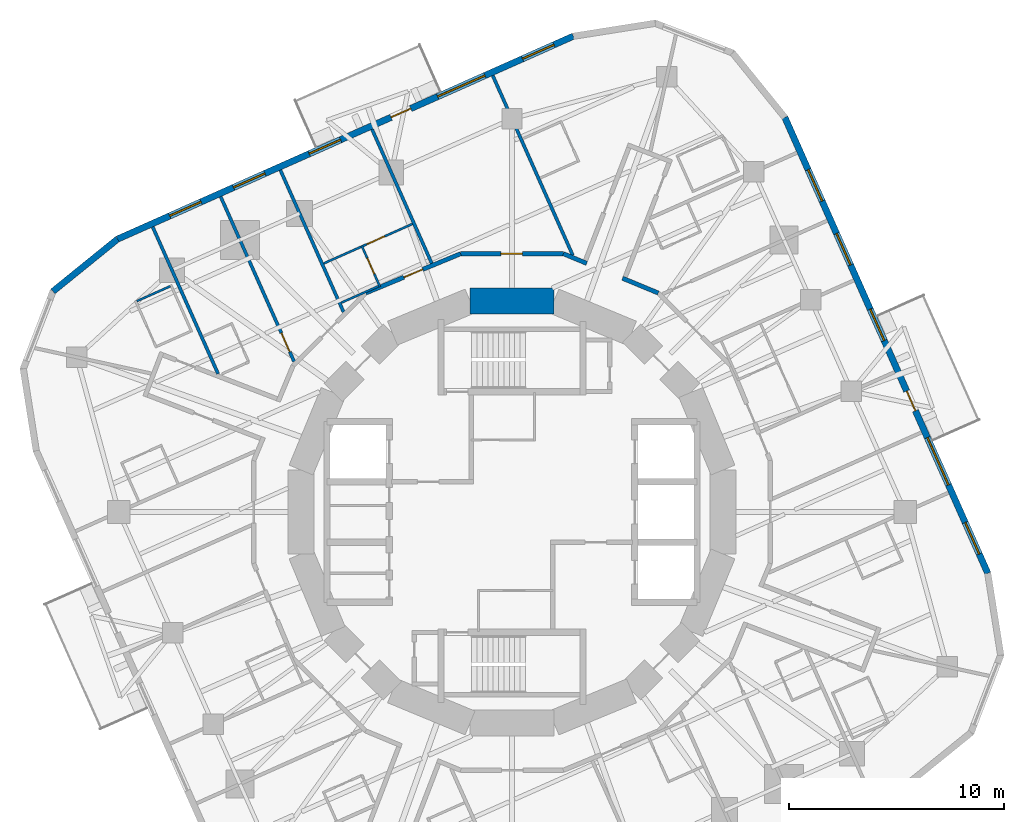
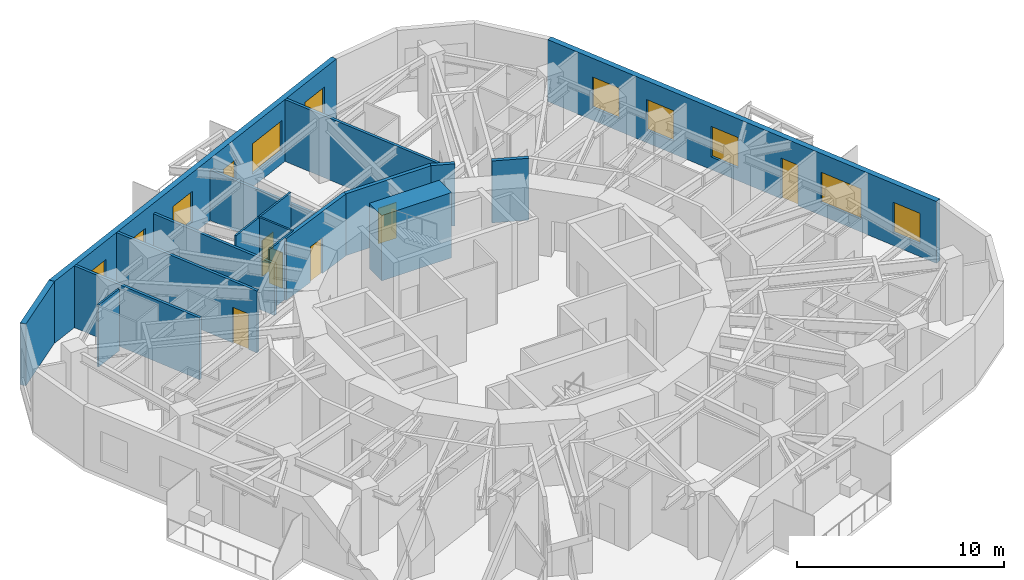
# One storey, part 9 of 12: 18 walls, 10 windows, 7 doors, 17 openings.
"""IFC4 building model written with IfcOpenShell, lengths in metres."""

from ifc_helpers import new_model, si_unit, direction, frame, frame_2d, origin, place, context, subcontext, project, spatial, rectangle, extrude, material, layer, layer_set, type_object, element, fill, save


model = new_model("IFC4")

# Units and contexts
model_context = context("Model", 3, precision=1e-05, world=origin(), true_north=direction((0.0, 1.0)))
body_context = subcontext(model_context, "Body", "Model", "MODEL_VIEW")
ifc_project = project(units=[si_unit("LENGTHUNIT", "METRE"), si_unit("AREAUNIT", "SQUARE_METRE"), si_unit("VOLUMEUNIT", "CUBIC_METRE"), si_unit("PLANEANGLEUNIT", "RADIAN"), si_unit("MASSUNIT", "GRAM", prefix="KILO")], contexts=[model_context])

# Site, building, storey
site_placement = place(None, origin())
site = spatial("IfcSite", under=ifc_project, at=site_placement, CompositionType="ELEMENT")
building_placement = place(site_placement, origin())
building = spatial("IfcBuilding", under=site, at=building_placement, Name="Nakasero Lantern House", CompositionType="ELEMENT")
storey_placement = place(building_placement, frame((0.0, 0.0, 201.699951171875)))
storey = spatial("IfcBuildingStorey", under=building, at=storey_placement, Name="L49", CompositionType="ELEMENT", Elevation=201.699951171875)

# Wall
ifc_material_1 = material(Name="Concrete C50/60", Category="concrete")
ifc_layer_1 = layer(ifc_material_1, 1.199951171875)
ifc_layer_set_1 = layer_set([ifc_layer_1], Name="Core wall 1200")
wall_type_1 = type_object("IfcWallType", Name="Core wall 1200", PredefinedType="SHEAR", material=ifc_layer_set_1)
wall_1_placement = place(storey_placement, frame((1.950927734375, 9.807861328125, 0.0), z_axis=(0.0, 0.0, 1.0), x_axis=(-1.0, 0.0, 0.0)))
element("IfcWall", 1, at=wall_1_placement, inside=storey, type_object=wall_type_1, Name="Core wall L49 facet 4", PredefinedType="SHEAR", context=body_context, shape_type="SweptSolid", body=[
    extrude(rectangle(XDim=3.90185546875, YDim=1.199951171875, at=frame_2d((1.950927734375, 0.0))), origin(), (0.0, 0.0, 1.0), 3.85009765625),
])

# Wall, opening, door
ifc_material_2 = material(Name="Blockwork", Category="masonry")
ifc_layer_2 = layer(ifc_material_2, 0.199951171875)
ifc_layer_set_2 = layer_set([ifc_layer_2], Name="Corridor wall 200")
wall_type_2 = type_object("IfcWallType", Name="Corridor wall 200", PredefinedType="PARTITIONING", material=ifc_layer_set_2)
wall_2_placement = place(storey_placement, frame((-6.802001953125, 10.1796875, 0.0), z_axis=(0.0, 0.0, 1.0), x_axis=(0.923882292998, 0.382676767893, 0.0)))
wall_2 = element("IfcWall", 2, at=wall_2_placement, inside=storey, type_object=wall_type_2, Name="Corridor wall L49 RC11a", PredefinedType="PARTITIONING", context=body_context, shape_type="SweptSolid", body=[
    extrude(rectangle(XDim=4.777099609375, YDim=0.199951171875, at=frame_2d((2.388671875, 0.0))), origin(), (0.0, 0.0, 1.0), 3.650146484375),
])
opening_1_placement = place(wall_2_placement, frame((1.919921875, 0.0, 0.0)))
opening_1 = element("IfcOpeningElement", 3, at=opening_1_placement, cuts=wall_2, Name="Opening D01", PredefinedType="OPENING", context=body_context, shape_type="SweptSolid", body=[
    extrude(rectangle(XDim=0.949951171875, YDim=2.10009765625, at=frame_2d((0.47509765625, 1.050048828125))), frame((0.0, 0.119873046875, 0.0), z_axis=(0.0, -1.0, 0.0), x_axis=(1.0, 0.0, 0.0)), (0.0, 0.0, 1.0), 0.239990234375),
])
ifc_material_3 = material(Name="Timber C24", Category="wood")
door_type_1 = type_object("IfcDoorType", Name="Bedroom door FD30S 950", OperationType="SINGLE_SWING_LEFT", PredefinedType="DOOR", material=ifc_material_3)
door_1_placement = place(opening_1_placement, origin())
door_1 = element("IfcDoor", 4, at=door_1_placement, inside=storey, type_object=door_type_1, Name="Door L49 D1-03", OperationType="SINGLE_SWING_RIGHT", OverallHeight=2.10009765625, OverallWidth=0.949951171875, PredefinedType="DOOR", context=body_context, shape_type="SweptSolid", body=[
    extrude(rectangle(XDim=0.949951171875, YDim=2.10009765625, at=frame_2d((0.47509765625, 1.050048828125))), frame((0.0, 0.02490234375, 0.0), z_axis=(0.0, -1.0, 0.0), x_axis=(1.0, 0.0, 0.0)), (0.0, 0.0, 1.0), 0.050048828125),
])
fill(opening_1, door_1)

wall_3_placement = place(storey_placement, frame((-2.388427734375, 12.0078125, 0.0), z_axis=(0.0, 0.0, 1.0), x_axis=(1.0, 0.0, 0.0)))
wall_3 = element("IfcWall", 5, at=wall_3_placement, inside=storey, type_object=wall_type_2, Name="Corridor wall L49 RC12a", PredefinedType="PARTITIONING", context=body_context, shape_type="SweptSolid", body=[
    extrude(rectangle(XDim=4.77685546875, YDim=0.199951171875, at=frame_2d((2.388427734375, 0.0))), origin(), (0.0, 0.0, 1.0), 3.650146484375),
])
opening_2_placement = place(wall_3_placement, frame((1.8701171875, 0.0, 0.0)))
opening_2 = element("IfcOpeningElement", 6, at=opening_2_placement, cuts=wall_3, Name="Opening D03", PredefinedType="OPENING", context=body_context, shape_type="SweptSolid", body=[
    extrude(rectangle(XDim=1.0, YDim=2.10009765625, at=frame_2d((0.5, 1.050048828125))), frame((0.0, 0.119873046875, 0.0), z_axis=(0.0, -1.0, 0.0), x_axis=(1.0, 0.0, 0.0)), (0.0, 0.0, 1.0), 0.239990234375),
])
ifc_material_4 = material(Name="Timber C24", Category="wood")
door_type_2 = type_object("IfcDoorType", Name="Lounge door FD30S 1000", OperationType="SINGLE_SWING_LEFT", PredefinedType="DOOR", material=ifc_material_4)
door_2_placement = place(opening_2_placement, origin())
door_2 = element("IfcDoor", 7, at=door_2_placement, inside=storey, type_object=door_type_2, Name="Door L49 DK1", OperationType="SINGLE_SWING_LEFT", OverallHeight=2.10009765625, OverallWidth=1.0, PredefinedType="DOOR", context=body_context, shape_type="SweptSolid", body=[
    extrude(rectangle(XDim=1.0, YDim=2.10009765625, at=frame_2d((0.5, 1.050048828125))), frame((0.0, 0.02490234375, 0.0), z_axis=(0.0, -1.0, 0.0), x_axis=(1.0, 0.0, 0.0)), (0.0, 0.0, 1.0), 0.050048828125),
])
fill(opening_2, door_2)

# Walls
wall_4_placement = place(storey_placement, frame((2.388427734375, 12.0078125, 0.0), z_axis=(0.0, 0.0, 1.0), x_axis=(0.923874873612, -0.382694679749, 0.0)))
element("IfcWall", 8, at=wall_4_placement, inside=storey, type_object=wall_type_2, Name="Corridor wall L49 RC13a", PredefinedType="PARTITIONING", context=body_context, shape_type="SweptSolid", body=[
    extrude(rectangle(XDim=1.173828125, YDim=0.199951171875, at=frame_2d((0.5869140625, 0.0))), origin(), (0.0, 0.0, 1.0), 3.650146484375),
])
wall_5_placement = place(storey_placement, frame((5.136474609375, 10.86962890625, 0.0), z_axis=(0.0, 0.0, 1.0), x_axis=(0.923868276622, -0.382710605355, 0.0)))
element("IfcWall", 9, at=wall_5_placement, inside=storey, type_object=wall_type_2, Name="Corridor wall L49 RC13b", PredefinedType="PARTITIONING", context=body_context, shape_type="SweptSolid", body=[
    extrude(rectangle(XDim=1.802734375, YDim=0.199951171875, at=frame_2d((0.9013671875, 0.0))), origin(), (0.0, 0.0, 1.0), 3.650146484375),
])

# Wall, opening, door
ifc_material_5 = material(Name="Blockwork", Category="masonry")
ifc_layer_3 = layer(ifc_material_5, 0.10009765625)
ifc_layer_set_3 = layer_set([ifc_layer_3], Name="En-suite wall 100")
wall_type_3 = type_object("IfcWallType", Name="En-suite wall 100", PredefinedType="PARTITIONING", material=ifc_layer_set_3)
wall_6_placement = place(storey_placement, frame((-6.138916015625, 10.475341796875, 0.0), z_axis=(0.0, 0.0, 1.0), x_axis=(-0.406774771494, 0.913528480824, 0.0)))
wall_6 = element("IfcWall", 10, at=wall_6_placement, inside=storey, type_object=wall_type_3, Name="En-suite wall L49 ES1-03", PredefinedType="PARTITIONING", context=body_context, shape_type="SweptSolid", body=[
    extrude(rectangle(XDim=2.10009765625, YDim=0.10009765625, at=frame_2d((1.050048828125, 0.0))), origin(), (0.0, 0.0, 1.0), 3.650146484375),
])
opening_3_placement = place(wall_6_placement, frame((0.64990234375, 0.0, 0.0)))
opening_3 = element("IfcOpeningElement", 11, at=opening_3_placement, cuts=wall_6, Name="Opening D02", PredefinedType="OPENING", context=body_context, shape_type="SweptSolid", body=[
    extrude(rectangle(XDim=0.800048828125, YDim=2.10009765625, at=frame_2d((0.39990234375, 1.050048828125))), frame((0.0, 0.070068359375, 0.0), z_axis=(0.0, -1.0, 0.0), x_axis=(1.0, 0.0, 0.0)), (0.0, 0.0, 1.0), 0.14013671875),
])
ifc_material_6 = material(Name="Timber C24", Category="wood")
door_type_3 = type_object("IfcDoorType", Name="En-suite door 800", OperationType="SINGLE_SWING_RIGHT", PredefinedType="DOOR", material=ifc_material_6)
door_3_placement = place(opening_3_placement, origin())
door_3 = element("IfcDoor", 12, at=door_3_placement, inside=storey, type_object=door_type_3, Name="Door L49 DE1-03", OperationType="SINGLE_SWING_LEFT", OverallHeight=2.10009765625, OverallWidth=0.800048828125, PredefinedType="DOOR", context=body_context, shape_type="SweptSolid", body=[
    extrude(rectangle(XDim=0.800048828125, YDim=2.10009765625, at=frame_2d((0.39990234375, 1.050048828125))), frame((0.0, 0.02490234375, 0.0), z_axis=(0.0, -1.0, 0.0), x_axis=(1.0, 0.0, 0.0)), (0.0, 0.0, 1.0), 0.050048828125),
])
fill(opening_3, door_3)

# Walls
for number, where, z_axis, x_axis, name in (
    (13, (-7.0185546875, 12.327880859375, 0.0), (0.0, 0.0, 1.0), (-0.913551699523, -0.406722623293, 0.0), "En-suite wall L49 EE1-03"),
    (14, (-6.205078125, 10.500732421875, 0.0), (0.0, 0.0, 1.0), (-0.913551699523, -0.406722623293, 0.0), "En-suite wall L49 EI1-03"),
):
    element("IfcWall", number, at=place(storey_placement, frame(where, z_axis=z_axis, x_axis=x_axis)), inside=storey, type_object=wall_type_3, Name=name, PredefinedType="PARTITIONING", context=body_context, shape_type="SweptSolid", body=[
        extrude(rectangle(XDim=1.89990234375, YDim=0.10009765625, at=frame_2d((0.949951171875, 0.0))), origin(), (0.0, 0.0, 1.0), 3.650146484375),
    ])
wall_7_placement = place(storey_placement, frame((-15.88720703125, 10.495849609375, 0.0), z_axis=(0.0, 0.0, 1.0), x_axis=(-0.913550776237, -0.406724697108, 0.0)))
element("IfcWall", 15, at=wall_7_placement, inside=storey, type_object=wall_type_3, Name="En-suite wall L49 EE1-06", PredefinedType="PARTITIONING", context=body_context, shape_type="SweptSolid", body=[
    extrude(rectangle(XDim=1.699951171875, YDim=0.10009765625, at=frame_2d((0.85009765625, 0.0))), origin(), (0.0, 0.0, 1.0), 3.650146484375),
])

# Wall, opening, door
wall_8_placement = place(storey_placement, frame((-4.629150390625, 13.3916015625, 0.0), z_axis=(0.0, 0.0, 1.0), x_axis=(-0.913563215259, -0.406696756474, 0.0)))
wall_8 = element("IfcWall", 16, at=wall_8_placement, inside=storey, type_object=wall_type_3, Name="En-suite wall L49 EL1-03", PredefinedType="PARTITIONING", context=body_context, shape_type="SweptSolid", body=[
    extrude(rectangle(XDim=2.515380859375, YDim=0.10009765625, at=frame_2d((1.2578125, 0.0))), origin(), (0.0, 0.0, 1.0), 3.650146484375),
])
opening_4_placement = place(wall_8_placement, frame((1.415283203125, 0.0, 0.0)))
opening_4 = element("IfcOpeningElement", 17, at=opening_4_placement, cuts=wall_8, Name="Opening D17", PredefinedType="OPENING", context=body_context, shape_type="SweptSolid", body=[
    extrude(rectangle(XDim=0.89990234375, YDim=2.10009765625, at=frame_2d((0.449951171875, 1.050048828125))), frame((0.0, 0.070068359375, 0.0), z_axis=(0.0, -1.0, 0.0), x_axis=(1.0, 0.0, 0.0)), (0.0, 0.0, 1.0), 0.14013671875),
])
ifc_material_7 = material(Name="Timber C24", Category="wood")
door_type_4 = type_object("IfcDoorType", Name="Bedroom door FD30S 900", OperationType="SINGLE_SWING_LEFT", PredefinedType="DOOR", material=ifc_material_7)
door_4_placement = place(opening_4_placement, origin())
door_4 = element("IfcDoor", 18, at=door_4_placement, inside=storey, type_object=door_type_4, Name="Door L49 DL1-03", OperationType="SINGLE_SWING_RIGHT", OverallHeight=2.10009765625, OverallWidth=0.89990234375, PredefinedType="DOOR", context=body_context, shape_type="SweptSolid", body=[
    extrude(rectangle(XDim=0.89990234375, YDim=2.10009765625, at=frame_2d((0.449951171875, 1.050048828125))), frame((0.0, 0.02490234375, 0.0), z_axis=(0.0, -1.0, 0.0), x_axis=(1.0, 0.0, 0.0)), (0.0, 0.0, 1.0), 0.050048828125),
])
fill(opening_4, door_4)

# Wall, openings, door, windows
ifc_material_8 = material(Name="Aluminium rainscreen on blockwork", Category="masonry")
ifc_layer_4 = layer(ifc_material_8, 0.300048828125)
ifc_layer_set_4 = layer_set([ifc_layer_4], Name="Facade wall 300")
wall_type_4 = type_object("IfcWallType", Name="Facade wall 300", PredefinedType="SOLIDWALL", material=ifc_layer_set_4)
wall_9_placement = place(storey_placement, frame((22.12109375, -2.848876953125, 0.0), z_axis=(0.0, 0.0, 1.0), x_axis=(-0.406734951338, 0.913546210851, 0.0)))
wall_9 = element("IfcWall", 19, at=wall_9_placement, inside=storey, type_object=wall_type_4, Name="Facade wall L49 FW0S", PredefinedType="SOLIDWALL", context=body_context, shape_type="SweptSolid", body=[
    extrude(rectangle(XDim=23.199951171875, YDim=0.300048828125, at=frame_2d((11.60009765625, 0.0))), origin(), (0.0, 0.0, 1.0), 3.650146484375),
])
opening_5_placement = place(wall_9_placement, frame((0.982421875, 0.0, 0.75)))
opening_5 = element("IfcOpeningElement", 20, at=opening_5_placement, cuts=wall_9, Name="Opening W01", PredefinedType="OPENING", context=body_context, shape_type="SweptSolid", body=[
    extrude(rectangle(XDim=1.60009765625, YDim=1.800048828125, at=frame_2d((0.800048828125, 0.89990234375))), frame((0.0, 0.169921875, 0.0), z_axis=(0.0, -1.0, 0.0), x_axis=(1.0, 0.0, 0.0)), (0.0, 0.0, 1.0), 0.340087890625),
])
opening_6_placement = place(wall_9_placement, frame((11.83984375, 0.0, 0.75)))
opening_6 = element("IfcOpeningElement", 21, at=opening_6_placement, cuts=wall_9, Name="Opening W01", PredefinedType="OPENING", context=body_context, shape_type="SweptSolid", body=[
    extrude(rectangle(XDim=1.60009765625, YDim=1.800048828125, at=frame_2d((0.800048828125, 0.89990234375))), frame((0.0, 0.169921875, 0.0), z_axis=(0.0, -1.0, 0.0), x_axis=(1.0, 0.0, 0.0)), (0.0, 0.0, 1.0), 0.340087890625),
])
opening_7_placement = place(wall_9_placement, frame((15.69140625, 0.0, 0.75)))
opening_7 = element("IfcOpeningElement", 22, at=opening_7_placement, cuts=wall_9, Name="Opening W01", PredefinedType="OPENING", context=body_context, shape_type="SweptSolid", body=[
    extrude(rectangle(XDim=1.60009765625, YDim=1.800048828125, at=frame_2d((0.800048828125, 0.89990234375))), frame((0.0, 0.169921875, 0.0), z_axis=(0.0, -1.0, 0.0), x_axis=(1.0, 0.0, 0.0)), (0.0, 0.0, 1.0), 0.340087890625),
])
opening_8_placement = place(wall_9_placement, frame((18.940185546875, 0.0, 0.75)))
opening_8 = element("IfcOpeningElement", 23, at=opening_8_placement, cuts=wall_9, Name="Opening W01", PredefinedType="OPENING", context=body_context, shape_type="SweptSolid", body=[
    extrude(rectangle(XDim=1.60009765625, YDim=1.800048828125, at=frame_2d((0.800048828125, 0.89990234375))), frame((0.0, 0.169921875, 0.0), z_axis=(0.0, -1.0, 0.0), x_axis=(1.0, 0.0, 0.0)), (0.0, 0.0, 1.0), 0.340087890625),
])
opening_9_placement = place(wall_9_placement, frame((4.500244140625, 0.0, 0.75)))
opening_9 = element("IfcOpeningElement", 24, at=opening_9_placement, cuts=wall_9, Name="Opening W03", PredefinedType="OPENING", context=body_context, shape_type="SweptSolid", body=[
    extrude(rectangle(XDim=2.39990234375, YDim=1.800048828125, at=frame_2d((1.199951171875, 0.89990234375))), frame((0.0, 0.169921875, 0.0), z_axis=(0.0, -1.0, 0.0), x_axis=(1.0, 0.0, 0.0)), (0.0, 0.0, 1.0), 0.340087890625),
])
opening_10_placement = place(wall_9_placement, frame((8.271484375, 0.0, 0.0)))
opening_10 = element("IfcOpeningElement", 25, at=opening_10_placement, cuts=wall_9, Name="Opening D04", PredefinedType="OPENING", context=body_context, shape_type="SweptSolid", body=[
    extrude(rectangle(XDim=1.0, YDim=2.39990234375, at=frame_2d((0.5, 1.199951171875))), frame((0.0, 0.169921875, 0.0), z_axis=(0.0, -1.0, 0.0), x_axis=(1.0, 0.0, 0.0)), (0.0, 0.0, 1.0), 0.340087890625),
])
ifc_material_9 = material(Name="Aluminium 6063-T6 and glass", Category="aluminium")
door_type_5 = type_object("IfcDoorType", Name="Balcony door 1000x2400", OperationType="SINGLE_SWING_RIGHT", PredefinedType="DOOR", material=ifc_material_9)
door_5_placement = place(opening_10_placement, origin())
door_5 = element("IfcDoor", 26, at=door_5_placement, inside=storey, type_object=door_type_5, Name="Balcony door L49 DB0", OperationType="SINGLE_SWING_RIGHT", OverallHeight=2.39990234375, OverallWidth=1.0, PredefinedType="DOOR", context=body_context, shape_type="SweptSolid", body=[
    extrude(rectangle(XDim=1.0, YDim=2.39990234375, at=frame_2d((0.5, 1.199951171875))), frame((0.0, 0.02490234375, 0.0), z_axis=(0.0, -1.0, 0.0), x_axis=(1.0, 0.0, 0.0)), (0.0, 0.0, 1.0), 0.050048828125),
])
fill(opening_10, door_5)
ifc_material_10 = material(Name="Aluminium 6063-T6 and glass", Category="aluminium")
window_type_1 = type_object("IfcWindowType", Name="Bedroom window 1600x1800", PartitioningType="SINGLE_PANEL", PredefinedType="WINDOW", material=ifc_material_10)
window_1_placement = place(opening_5_placement, origin())
window_1 = element("IfcWindow", 27, at=window_1_placement, inside=storey, type_object=window_type_1, Name="Window L49 WN0-00", OverallHeight=1.800048828125, OverallWidth=1.60009765625, PartitioningType="SINGLE_PANEL", PredefinedType="WINDOW", context=body_context, shape_type="SweptSolid", body=[
    extrude(rectangle(XDim=1.60009765625, YDim=1.800048828125, at=frame_2d((0.800048828125, 0.89990234375))), frame((0.0, 0.030029296875, 0.0), z_axis=(0.0, -1.0, 0.0), x_axis=(1.0, 0.0, 0.0)), (0.0, 0.0, 1.0), 0.06005859375),
])
fill(opening_5, window_1)
window_2_placement = place(opening_6_placement, origin())
window_2 = element("IfcWindow", 28, at=window_2_placement, inside=storey, type_object=window_type_1, Name="Window L49 WN0-03", OverallHeight=1.800048828125, OverallWidth=1.60009765625, PartitioningType="SINGLE_PANEL", PredefinedType="WINDOW", context=body_context, shape_type="SweptSolid", body=[
    extrude(rectangle(XDim=1.60009765625, YDim=1.800048828125, at=frame_2d((0.800048828125, 0.89990234375))), frame((0.0, 0.030029296875, 0.0), z_axis=(0.0, -1.0, 0.0), x_axis=(1.0, 0.0, 0.0)), (0.0, 0.0, 1.0), 0.06005859375),
])
fill(opening_6, window_2)
window_3_placement = place(opening_7_placement, origin())
window_3 = element("IfcWindow", 29, at=window_3_placement, inside=storey, type_object=window_type_1, Name="Window L49 WN0-04", OverallHeight=1.800048828125, OverallWidth=1.60009765625, PartitioningType="SINGLE_PANEL", PredefinedType="WINDOW", context=body_context, shape_type="SweptSolid", body=[
    extrude(rectangle(XDim=1.60009765625, YDim=1.800048828125, at=frame_2d((0.800048828125, 0.89990234375))), frame((0.0, 0.030029296875, 0.0), z_axis=(0.0, -1.0, 0.0), x_axis=(1.0, 0.0, 0.0)), (0.0, 0.0, 1.0), 0.06005859375),
])
fill(opening_7, window_3)
window_4_placement = place(opening_8_placement, origin())
window_4 = element("IfcWindow", 30, at=window_4_placement, inside=storey, type_object=window_type_1, Name="Window L49 WN0-05", OverallHeight=1.800048828125, OverallWidth=1.60009765625, PartitioningType="SINGLE_PANEL", PredefinedType="WINDOW", context=body_context, shape_type="SweptSolid", body=[
    extrude(rectangle(XDim=1.60009765625, YDim=1.800048828125, at=frame_2d((0.800048828125, 0.89990234375))), frame((0.0, 0.030029296875, 0.0), z_axis=(0.0, -1.0, 0.0), x_axis=(1.0, 0.0, 0.0)), (0.0, 0.0, 1.0), 0.06005859375),
])
fill(opening_8, window_4)
ifc_material_11 = material(Name="Aluminium 6063-T6 and glass", Category="aluminium")
window_type_2 = type_object("IfcWindowType", Name="Lounge window 2400x1800", PartitioningType="SINGLE_PANEL", PredefinedType="WINDOW", material=ifc_material_11)
window_5_placement = place(opening_9_placement, origin())
window_5 = element("IfcWindow", 31, at=window_5_placement, inside=storey, type_object=window_type_2, Name="Window L49 WK0", OverallHeight=1.800048828125, OverallWidth=2.39990234375, PartitioningType="SINGLE_PANEL", PredefinedType="WINDOW", context=body_context, shape_type="SweptSolid", body=[
    extrude(rectangle(XDim=2.39990234375, YDim=1.800048828125, at=frame_2d((1.199951171875, 0.89990234375))), frame((0.0, 0.030029296875, 0.0), z_axis=(0.0, -1.0, 0.0), x_axis=(1.0, 0.0, 0.0)), (0.0, 0.0, 1.0), 0.06005859375),
])
fill(opening_9, window_5)

wall_10_placement = place(storey_placement, frame((2.848876953125, 22.12109375, 0.0), z_axis=(0.0, 0.0, 1.0), x_axis=(-0.913546210851, -0.406734951338, 0.0)))
wall_10 = element("IfcWall", 32, at=wall_10_placement, inside=storey, type_object=wall_type_4, Name="Facade wall L49 FW1S", PredefinedType="SOLIDWALL", context=body_context, shape_type="SweptSolid", body=[
    extrude(rectangle(XDim=23.199951171875, YDim=0.300048828125, at=frame_2d((11.60009765625, 0.0))), origin(), (0.0, 0.0, 1.0), 3.650146484375),
])
opening_11_placement = place(wall_10_placement, frame((0.982421875, 0.0, 0.75)))
opening_11 = element("IfcOpeningElement", 33, at=opening_11_placement, cuts=wall_10, Name="Opening W01", PredefinedType="OPENING", context=body_context, shape_type="SweptSolid", body=[
    extrude(rectangle(XDim=1.60009765625, YDim=1.800048828125, at=frame_2d((0.800048828125, 0.89990234375))), frame((0.0, 0.169921875, 0.0), z_axis=(0.0, -1.0, 0.0), x_axis=(1.0, 0.0, 0.0)), (0.0, 0.0, 1.0), 0.340087890625),
])
opening_12_placement = place(wall_10_placement, frame((11.83984375, 0.0, 0.75)))
opening_12 = element("IfcOpeningElement", 34, at=opening_12_placement, cuts=wall_10, Name="Opening W01", PredefinedType="OPENING", context=body_context, shape_type="SweptSolid", body=[
    extrude(rectangle(XDim=1.60009765625, YDim=1.800048828125, at=frame_2d((0.800048828125, 0.89990234375))), frame((0.0, 0.169921875, 0.0), z_axis=(0.0, -1.0, 0.0), x_axis=(1.0, 0.0, 0.0)), (0.0, 0.0, 1.0), 0.340087890625),
])
opening_13_placement = place(wall_10_placement, frame((15.69140625, 0.0, 0.75)))
opening_13 = element("IfcOpeningElement", 35, at=opening_13_placement, cuts=wall_10, Name="Opening W01", PredefinedType="OPENING", context=body_context, shape_type="SweptSolid", body=[
    extrude(rectangle(XDim=1.60009765625, YDim=1.800048828125, at=frame_2d((0.800048828125, 0.89990234375))), frame((0.0, 0.169921875, 0.0), z_axis=(0.0, -1.0, 0.0), x_axis=(1.0, 0.0, 0.0)), (0.0, 0.0, 1.0), 0.340087890625),
])
opening_14_placement = place(wall_10_placement, frame((18.940185546875, 0.0, 0.75)))
opening_14 = element("IfcOpeningElement", 36, at=opening_14_placement, cuts=wall_10, Name="Opening W01", PredefinedType="OPENING", context=body_context, shape_type="SweptSolid", body=[
    extrude(rectangle(XDim=1.60009765625, YDim=1.800048828125, at=frame_2d((0.800048828125, 0.89990234375))), frame((0.0, 0.169921875, 0.0), z_axis=(0.0, -1.0, 0.0), x_axis=(1.0, 0.0, 0.0)), (0.0, 0.0, 1.0), 0.340087890625),
])
opening_15_placement = place(wall_10_placement, frame((4.500244140625, 0.0, 0.75)))
opening_15 = element("IfcOpeningElement", 37, at=opening_15_placement, cuts=wall_10, Name="Opening W03", PredefinedType="OPENING", context=body_context, shape_type="SweptSolid", body=[
    extrude(rectangle(XDim=2.39990234375, YDim=1.800048828125, at=frame_2d((1.199951171875, 0.89990234375))), frame((0.0, 0.169921875, 0.0), z_axis=(0.0, -1.0, 0.0), x_axis=(1.0, 0.0, 0.0)), (0.0, 0.0, 1.0), 0.340087890625),
])
opening_16_placement = place(wall_10_placement, frame((8.271484375, 0.0, 0.0)))
opening_16 = element("IfcOpeningElement", 38, at=opening_16_placement, cuts=wall_10, Name="Opening D04", PredefinedType="OPENING", context=body_context, shape_type="SweptSolid", body=[
    extrude(rectangle(XDim=1.0, YDim=2.39990234375, at=frame_2d((0.5, 1.199951171875))), frame((0.0, 0.169921875, 0.0), z_axis=(0.0, -1.0, 0.0), x_axis=(1.0, 0.0, 0.0)), (0.0, 0.0, 1.0), 0.340087890625),
])
door_6_placement = place(opening_16_placement, origin())
door_6 = element("IfcDoor", 39, at=door_6_placement, inside=storey, type_object=door_type_5, Name="Balcony door L49 DB1", OperationType="SINGLE_SWING_RIGHT", OverallHeight=2.39990234375, OverallWidth=1.0, PredefinedType="DOOR", context=body_context, shape_type="SweptSolid", body=[
    extrude(rectangle(XDim=1.0, YDim=2.39990234375, at=frame_2d((0.5, 1.199951171875))), frame((0.0, 0.02490234375, 0.0), z_axis=(0.0, -1.0, 0.0), x_axis=(1.0, 0.0, 0.0)), (0.0, 0.0, 1.0), 0.050048828125),
])
fill(opening_16, door_6)
window_6_placement = place(opening_11_placement, origin())
window_6 = element("IfcWindow", 40, at=window_6_placement, inside=storey, type_object=window_type_1, Name="Window L49 WN1-00", OverallHeight=1.800048828125, OverallWidth=1.60009765625, PartitioningType="SINGLE_PANEL", PredefinedType="WINDOW", context=body_context, shape_type="SweptSolid", body=[
    extrude(rectangle(XDim=1.60009765625, YDim=1.800048828125, at=frame_2d((0.800048828125, 0.89990234375))), frame((0.0, 0.030029296875, 0.0), z_axis=(0.0, -1.0, 0.0), x_axis=(1.0, 0.0, 0.0)), (0.0, 0.0, 1.0), 0.06005859375),
])
fill(opening_11, window_6)
window_7_placement = place(opening_12_placement, origin())
window_7 = element("IfcWindow", 41, at=window_7_placement, inside=storey, type_object=window_type_1, Name="Window L49 WN1-03", OverallHeight=1.800048828125, OverallWidth=1.60009765625, PartitioningType="SINGLE_PANEL", PredefinedType="WINDOW", context=body_context, shape_type="SweptSolid", body=[
    extrude(rectangle(XDim=1.60009765625, YDim=1.800048828125, at=frame_2d((0.800048828125, 0.89990234375))), frame((0.0, 0.030029296875, 0.0), z_axis=(0.0, -1.0, 0.0), x_axis=(1.0, 0.0, 0.0)), (0.0, 0.0, 1.0), 0.06005859375),
])
fill(opening_12, window_7)
window_8_placement = place(opening_13_placement, origin())
window_8 = element("IfcWindow", 42, at=window_8_placement, inside=storey, type_object=window_type_1, Name="Window L49 WN1-04", OverallHeight=1.800048828125, OverallWidth=1.60009765625, PartitioningType="SINGLE_PANEL", PredefinedType="WINDOW", context=body_context, shape_type="SweptSolid", body=[
    extrude(rectangle(XDim=1.60009765625, YDim=1.800048828125, at=frame_2d((0.800048828125, 0.89990234375))), frame((0.0, 0.030029296875, 0.0), z_axis=(0.0, -1.0, 0.0), x_axis=(1.0, 0.0, 0.0)), (0.0, 0.0, 1.0), 0.06005859375),
])
fill(opening_13, window_8)
window_9_placement = place(opening_14_placement, origin())
window_9 = element("IfcWindow", 43, at=window_9_placement, inside=storey, type_object=window_type_1, Name="Window L49 WN1-05", OverallHeight=1.800048828125, OverallWidth=1.60009765625, PartitioningType="SINGLE_PANEL", PredefinedType="WINDOW", context=body_context, shape_type="SweptSolid", body=[
    extrude(rectangle(XDim=1.60009765625, YDim=1.800048828125, at=frame_2d((0.800048828125, 0.89990234375))), frame((0.0, 0.030029296875, 0.0), z_axis=(0.0, -1.0, 0.0), x_axis=(1.0, 0.0, 0.0)), (0.0, 0.0, 1.0), 0.06005859375),
])
fill(opening_14, window_9)
window_10_placement = place(opening_15_placement, origin())
window_10 = element("IfcWindow", 44, at=window_10_placement, inside=storey, type_object=window_type_2, Name="Window L49 WK1", OverallHeight=1.800048828125, OverallWidth=2.39990234375, PartitioningType="SINGLE_PANEL", PredefinedType="WINDOW", context=body_context, shape_type="SweptSolid", body=[
    extrude(rectangle(XDim=2.39990234375, YDim=1.800048828125, at=frame_2d((1.199951171875, 0.89990234375))), frame((0.0, 0.030029296875, 0.0), z_axis=(0.0, -1.0, 0.0), x_axis=(1.0, 0.0, 0.0)), (0.0, 0.0, 1.0), 0.06005859375),
])
fill(opening_15, window_10)

# Walls
wall_11_placement = place(storey_placement, frame((-18.345458984375, 12.684814453125, 0.0), z_axis=(0.0, 0.0, 1.0), x_axis=(-0.777174099125, -0.629285642335, 0.0)))
element("IfcWall", 45, at=wall_11_placement, inside=storey, type_object=wall_type_4, Name="Facade wall L49 FW1C1", PredefinedType="SOLIDWALL", context=body_context, shape_type="SweptSolid", body=[
    extrude(rectangle(XDim=3.8564453125, YDim=0.300048828125, at=frame_2d((1.92822265625, 0.0))), origin(), (0.0, 0.0, 1.0), 3.650146484375),
])
ifc_material_12 = material(Name="Blockwork", Category="masonry")
ifc_layer_5 = layer(ifc_material_12, 0.14990234375)
ifc_layer_set_5 = layer_set([ifc_layer_5], Name="Party wall 150")
wall_type_5 = type_object("IfcWallType", Name="Party wall 150", PredefinedType="PARTITIONING", material=ifc_layer_set_5)
wall_12_placement = place(storey_placement, frame((2.824951171875, 11.935302734375, 0.0), z_axis=(0.0, 0.0, 1.0), x_axis=(-0.40672291788, 0.91355156837, 0.0)))
element("IfcWall", 46, at=wall_12_placement, inside=storey, type_object=wall_type_5, Name="Party wall L49 PW1-01", PredefinedType="PARTITIONING", context=body_context, shape_type="SweptSolid", body=[
    extrude(rectangle(XDim=9.1455078125, YDim=0.14990234375, at=frame_2d((4.57275390625, 0.0))), origin(), (0.0, 0.0, 1.0), 3.650146484375),
])
wall_13_placement = place(storey_placement, frame((-3.7314453125, 11.559814453125, 0.0), z_axis=(0.0, 0.0, 1.0), x_axis=(-0.406739408224, 0.913544226514, 0.0)))
element("IfcWall", 47, at=wall_13_placement, inside=storey, type_object=wall_type_5, Name="Party wall L49 PW1-03", PredefinedType="PARTITIONING", context=body_context, shape_type="SweptSolid", body=[
    extrude(rectangle(XDim=6.82177734375, YDim=0.14990234375, at=frame_2d((3.410888671875, 0.0))), origin(), (0.0, 0.0, 1.0), 2.966552734375),
])
wall_14_placement = place(storey_placement, frame((-7.829345703125, 9.293701171875, 0.0), z_axis=(0.0, 0.0, 1.0), x_axis=(-0.406759125496, 0.913535447493, 0.0)))
element("IfcWall", 48, at=wall_14_placement, inside=storey, type_object=wall_type_5, Name="Party wall L49 PW1-04", PredefinedType="PARTITIONING", context=body_context, shape_type="SweptSolid", body=[
    extrude(rectangle(XDim=7.225341796875, YDim=0.14990234375, at=frame_2d((3.61279296875, 0.0))), origin(), (0.0, 0.0, 1.0), 3.037841796875),
])

# Wall, opening, door
wall_15_placement = place(storey_placement, frame((-10.130615234375, 6.99267578125, 0.0), z_axis=(0.0, 0.0, 1.0), x_axis=(-0.406732255089, 0.913547411288, 0.0)))
wall_15 = element("IfcWall", 49, at=wall_15_placement, inside=storey, type_object=wall_type_5, Name="Party wall L49 PW1-05", PredefinedType="PARTITIONING", context=body_context, shape_type="SweptSolid", body=[
    extrude(rectangle(XDim=8.3916015625, YDim=0.14990234375, at=frame_2d((4.19580078125, 0.0))), origin(), (0.0, 0.0, 1.0), 3.650146484375),
])
opening_17_placement = place(wall_15_placement, frame((0.5, 0.0, 0.0)))
opening_17 = element("IfcOpeningElement", 50, at=opening_17_placement, cuts=wall_15, Name="Opening D01", PredefinedType="OPENING", context=body_context, shape_type="SweptSolid", body=[
    extrude(rectangle(XDim=0.949951171875, YDim=2.10009765625, at=frame_2d((0.47509765625, 1.050048828125))), frame((0.0, 0.094970703125, 0.0), z_axis=(0.0, -1.0, 0.0), x_axis=(1.0, 0.0, 0.0)), (0.0, 0.0, 1.0), 0.18994140625),
])
door_7_placement = place(opening_17_placement, origin())
door_7 = element("IfcDoor", 51, at=door_7_placement, inside=storey, type_object=door_type_1, Name="Door L49 DS1-05", OperationType="SINGLE_SWING_LEFT", OverallHeight=2.10009765625, OverallWidth=0.949951171875, PredefinedType="DOOR", context=body_context, shape_type="SweptSolid", body=[
    extrude(rectangle(XDim=0.949951171875, YDim=2.10009765625, at=frame_2d((0.47509765625, 1.050048828125))), frame((0.0, 0.02490234375, 0.0), z_axis=(0.0, -1.0, 0.0), x_axis=(1.0, 0.0, 0.0)), (0.0, 0.0, 1.0), 0.050048828125),
])
fill(opening_17, door_7)

# Wall
wall_16_placement = place(storey_placement, frame((-13.663330078125, 6.423095703125, 0.0), z_axis=(0.0, 0.0, 1.0), x_axis=(-0.406735380252, 0.913546019887, 0.0)))
element("IfcWall", 52, at=wall_16_placement, inside=storey, type_object=wall_type_5, Name="Party wall L49 PW1-06", PredefinedType="PARTITIONING", context=body_context, shape_type="SweptSolid", body=[
    extrude(rectangle(XDim=7.474853515625, YDim=0.14990234375, at=frame_2d((3.7373046875, 0.0))), origin(), (0.0, 0.0, 1.0), 3.650146484375),
])

save(model, "model.ifc")
